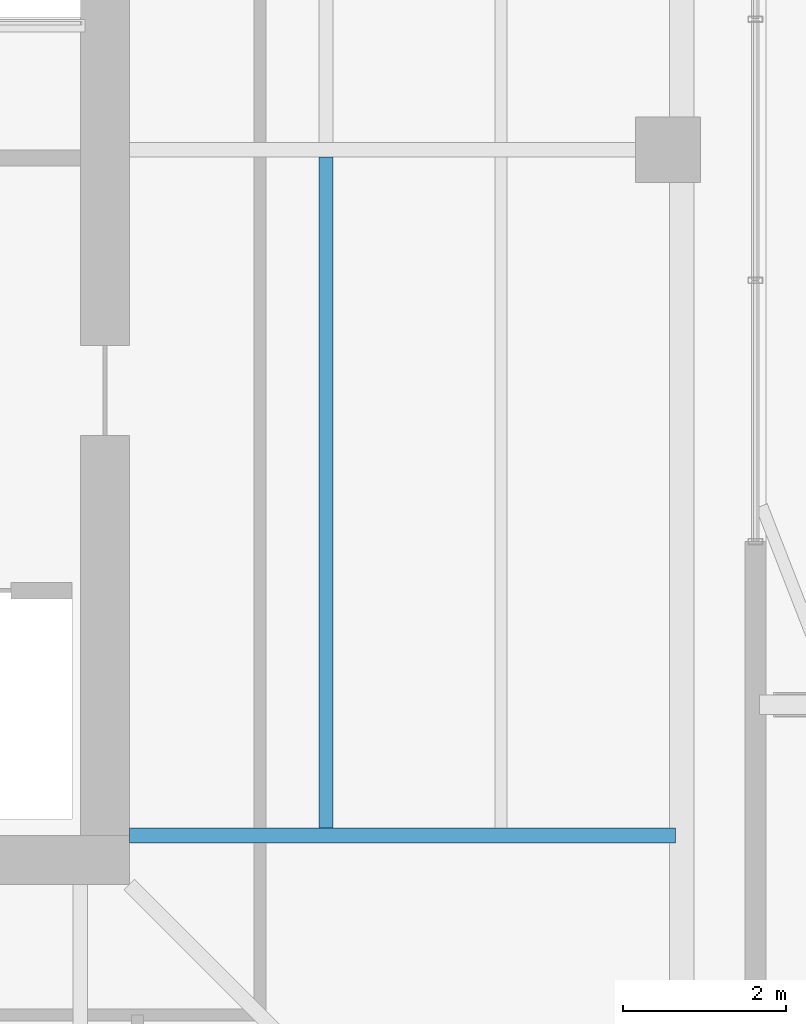
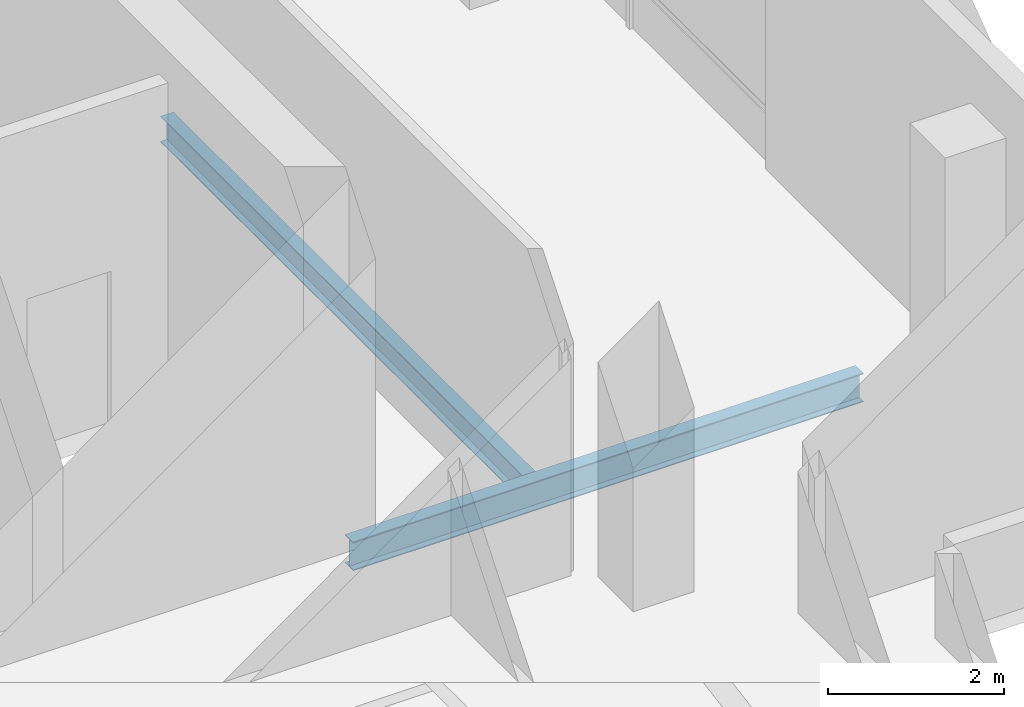
# One storey, part 5 of 15: 2 beams.
"""IFC4 building model written with IfcOpenShell, lengths in metres."""

from ifc_helpers import new_model, si_unit, direction, frame, origin, origin_2d, place, context, subcontext, project, spatial, i_section, extrude, material, material_profile, profile_set, type_object, element, save


model = new_model("IFC4")

# Units and contexts
model_context = context("Model", 3, precision=1e-05, world=origin(), true_north=direction((0.0, 1.0)))
body_context = subcontext(model_context, "Body", "Model", "MODEL_VIEW")
ifc_project = project(units=[si_unit("LENGTHUNIT", "METRE"), si_unit("AREAUNIT", "SQUARE_METRE"), si_unit("VOLUMEUNIT", "CUBIC_METRE"), si_unit("PLANEANGLEUNIT", "RADIAN"), si_unit("MASSUNIT", "GRAM", prefix="KILO")], contexts=[model_context])

# Site, building, storey
site_placement = place(None, origin())
site = spatial("IfcSite", under=ifc_project, at=site_placement, CompositionType="ELEMENT")
building_placement = place(site_placement, origin())
building = spatial("IfcBuilding", under=site, at=building_placement, Name="Belovzor Exchange Tower", CompositionType="ELEMENT")
storey_placement = place(building_placement, frame((0.0, 0.0, 373.800048828125)))
storey = spatial("IfcBuildingStorey", under=building, at=storey_placement, Name="L93", CompositionType="ELEMENT", Elevation=373.800048828125)

# Beams
ifc_material_1 = material(Name="Steel S355", Category="steel")
ifc_material_profile_1 = material_profile(ifc_material_1, i_section(OverallWidth=0.169921875, OverallDepth=0.360107421875, WebThickness=0.008056640625, FlangeThickness=0.0126953125, at=origin_2d()))
ifc_profile_set_1 = profile_set([ifc_material_profile_1], Name="Steel S355")
beam_type_1 = type_object("IfcBeamType", Name="Secondary Infill Floor Joist IPE 360", PredefinedType="BEAM", material=ifc_profile_set_1)
beam_1_placement = place(storey_placement, frame((40.2099609375, 20.489990234375, -0.47998046875), z_axis=(0.0, 1.0, 0.0), x_axis=(-1.0, 0.0, 0.0)))
element("IfcBeam", 1, at=beam_1_placement, inside=storey, type_object=beam_type_1, Name="FJ-360 Secondary Infill Floor Joist IPE 360", PredefinedType="BEAM", context=body_context, shape_type="SweptSolid", body=[
    extrude(i_section(OverallWidth=0.169921875, OverallDepth=0.360107421875, WebThickness=0.008056640625, FlangeThickness=0.0126953125, at=origin_2d()), origin(), (0.0, 0.0, 1.0), 8.219970703125),
])
ifc_material_2 = material(Name="Steel S355", Category="steel")
ifc_material_profile_2 = material_profile(ifc_material_2, i_section(OverallWidth=0.179931640625, OverallDepth=0.39990234375, WebThickness=0.008544921875, FlangeThickness=0.013427734375, at=origin_2d()))
ifc_profile_set_2 = profile_set([ifc_material_profile_2], Name="Steel S355")
beam_type_2 = type_object("IfcBeamType", Name="Zone 5-6 Radial Composite Floor Beam IPE 400", PredefinedType="BEAM", material=ifc_profile_set_2)
beam_2_placement = place(storey_placement, frame((37.800048828125, 20.39990234375, -0.5), z_axis=(1.0, 0.0, 0.0), x_axis=(0.0, 1.0, 0.0)))
element("IfcBeam", 2, at=beam_2_placement, inside=storey, type_object=beam_type_2, Name="FB-400 Zone 5-6 Radial Composite Floor Beam IPE 400", PredefinedType="BEAM", context=body_context, shape_type="SweptSolid", body=[
    extrude(i_section(OverallWidth=0.179931640625, OverallDepth=0.39990234375, WebThickness=0.008544921875, FlangeThickness=0.013427734375, at=origin_2d()), origin(), (0.0, 0.0, 1.0), 6.69384765625),
])

save(model, "model.ifc")
